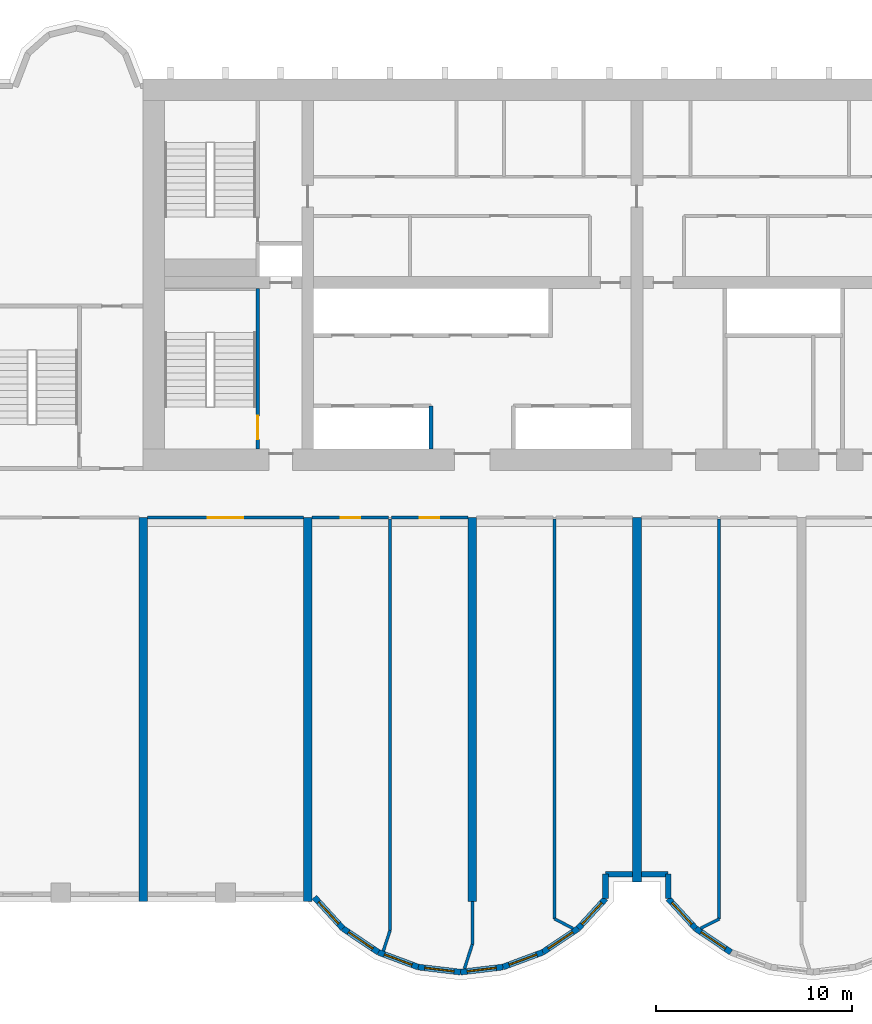
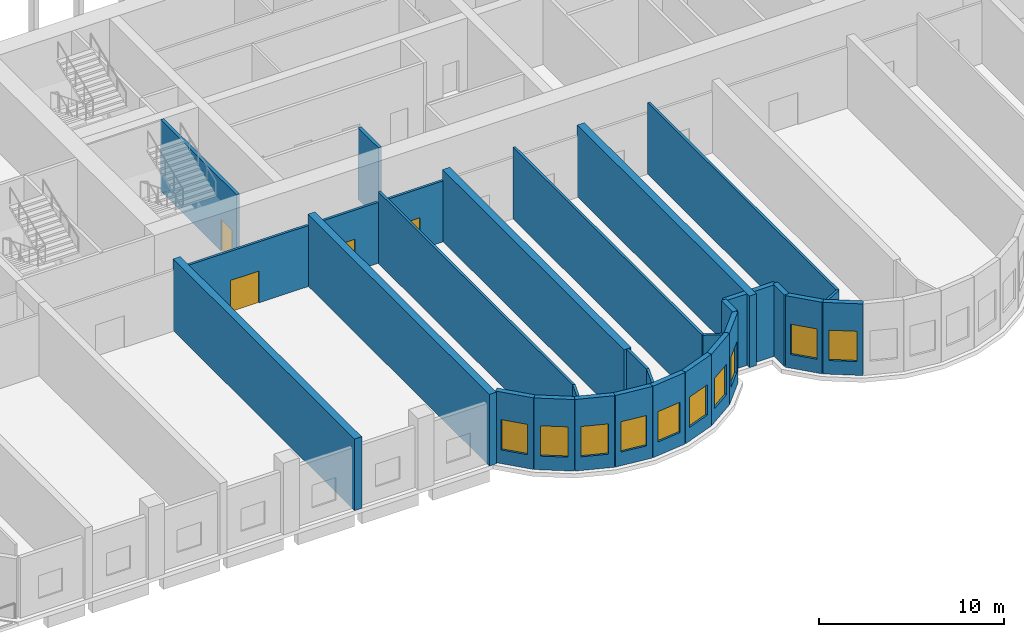
# One storey, part 3 of 11: 31 walls, 10 windows, 4 doors, 14 openings.
"""IFC4 building model written with IfcOpenShell, lengths in metres."""

from ifc_helpers import new_model, si_unit, direction, frame, frame_2d, origin, place, context, subcontext, project, spatial, rectangle, extrude, source, transform, mapped, material, layer, layer_set, type_object, element, fill, save


model = new_model("IFC4")

# Units and contexts
model_context = context("Model", 3, precision=1e-05, world=origin(), true_north=direction((0.0, 1.0)))
body_context = subcontext(model_context, "Body", "Model", "MODEL_VIEW")
ifc_project = project(units=[si_unit("LENGTHUNIT", "METRE"), si_unit("AREAUNIT", "SQUARE_METRE"), si_unit("VOLUMEUNIT", "CUBIC_METRE"), si_unit("PLANEANGLEUNIT", "RADIAN"), si_unit("MASSUNIT", "GRAM", prefix="KILO")], contexts=[model_context])

# Site, building, storey
site_placement = place(None, origin())
site = spatial("IfcSite", under=ifc_project, at=site_placement, CompositionType="ELEMENT")
building_placement = place(site_placement, origin())
building = spatial("IfcBuilding", under=site, at=building_placement, Name="Vanashikhar Sky Hotel", CompositionType="ELEMENT")
storey_placement = place(building_placement, frame((0.0, 0.0, 18.0)))
storey = spatial("IfcBuildingStorey", under=building, at=storey_placement, Name="L03", CompositionType="ELEMENT", Elevation=18.0)

# Walls
ifc_material_1 = material(Name="Concrete M80", Category="concrete")
ifc_layer_1 = layer(ifc_material_1, 0.449951171875)
ifc_layer_set_1 = layer_set([ifc_layer_1], Name="RC shear wall 450 Concrete M80")
wall_type_1 = type_object("IfcWallType", Name="RC shear wall 450 Concrete M80", PredefinedType="SHEAR", material=ifc_layer_set_1)
shared_shape_1 = source(origin(), body_context, "Body", "SweptSolid", [
    extrude(rectangle(XDim=19.60009765625, YDim=0.449951171875, at=frame_2d((9.800048828125, 0.0))), origin(), (0.0, 0.0, 1.0), 4.719970703125),
])
for number, where, z_axis, x_axis, name in (
    (1, (25.199951171875, 0.0, 0.0), (0.0, 0.0, 1.0), (0.0, 1.0, 0.0), "CW-L03-XW04-1"),
    (2, (33.60009765625, 0.0, 0.0), (0.0, 0.0, 1.0), (0.0, 1.0, 0.0), "CW-L03-XW05-1"),
    (3, (42.0, 0.0, 0.0), (0.0, 0.0, 1.0), (0.0, 1.0, 0.0), "CW-L03-XW06-1"),
):
    element("IfcWall", number, at=place(storey_placement, frame(where, z_axis=z_axis, x_axis=x_axis)), inside=storey, type_object=wall_type_1, Name=name, PredefinedType="SHEAR", context=body_context, shape_type="MappedRepresentation", body=[
        mapped(shared_shape_1, transform((0.0, 0.0, 0.0), scale=1.0)),
    ])
shared_shape_2 = source(origin(), body_context, "Body", "SweptSolid", [
    extrude(rectangle(XDim=18.60009765625, YDim=0.449951171875, at=frame_2d((9.300048828125, 0.0))), origin(), (0.0, 0.0, 1.0), 4.719970703125),
])
wall_1_placement = place(storey_placement, frame((50.39990234375, 1.0, 0.0), z_axis=(0.0, 0.0, 1.0), x_axis=(0.0, 1.0, 0.0)))
element("IfcWall", 4, at=wall_1_placement, inside=storey, type_object=wall_type_1, Name="CW-L03-XW07-1", PredefinedType="SHEAR", context=body_context, shape_type="MappedRepresentation", body=[
    mapped(shared_shape_2, transform((0.0, 0.0, 0.0), scale=1.0)),
])
ifc_material_2 = material(Name="Concrete M50", Category="concrete")
ifc_layer_2 = layer(ifc_material_2, 0.300048828125)
ifc_layer_set_2 = layer_set([ifc_layer_2], Name="Lobe wall 300")
wall_type_2 = type_object("IfcWallType", Name="Lobe wall 300", PredefinedType="SOLIDWALL", material=ifc_layer_set_2)
shared_shape_3 = source(origin(), body_context, "Body", "SweptSolid", [
    extrude(rectangle(XDim=1.244384765625, YDim=0.300048828125, at=frame_2d((0.6220703125, 0.0))), origin(), (0.0, 0.0, 1.0), 4.719970703125),
])
for number, where, z_axis, x_axis, name in (
    (5, (48.800048828125, 0.155517578125, 0.0), (0.0, 0.0, 1.0), (0.0, 1.0, 0.0), "Groove wall"),
    (6, (52.0, 1.39990234375, 0.0), (0.0, 0.0, 1.0), (0.0, -1.0, 0.0), "Groove wall"),
):
    element("IfcWall", number, at=place(storey_placement, frame(where, z_axis=z_axis, x_axis=x_axis)), inside=storey, type_object=wall_type_2, Name=name, PredefinedType="SOLIDWALL", context=body_context, shape_type="MappedRepresentation", body=[
        mapped(shared_shape_3, transform((0.0, 0.0, 0.0), scale=1.0)),
    ])
shared_shape_4 = source(origin(), body_context, "Body", "SweptSolid", [
    extrude(rectangle(XDim=1.375, YDim=0.300048828125, at=frame_2d((0.6875, 0.0))), origin(), (0.0, 0.0, 1.0), 4.719970703125),
])
for number, where, z_axis, x_axis, name in (
    (7, (48.800048828125, 1.39990234375, 0.0), (0.0, 0.0, 1.0), (1.0, 0.0, 0.0), "Groove wall"),
    (8, (50.625, 1.39990234375, 0.0), (0.0, 0.0, 1.0), (1.0, 0.0, 0.0), "Groove wall"),
):
    element("IfcWall", number, at=place(storey_placement, frame(where, z_axis=z_axis, x_axis=x_axis)), inside=storey, type_object=wall_type_2, Name=name, PredefinedType="SOLIDWALL", context=body_context, shape_type="MappedRepresentation", body=[
        mapped(shared_shape_4, transform((0.0, 0.0, 0.0), scale=1.0)),
    ])

# Wall, opening, window
shared_shape_5 = source(origin(), body_context, "Body", "SweptSolid", [
    extrude(rectangle(XDim=2.066650390625, YDim=0.300048828125, at=frame_2d((1.033203125, 0.0))), origin(), (0.0, 0.0, 1.0), 4.719970703125),
])
wall_2_placement = place(storey_placement, frame((52.0, 0.155517578125, 0.0), z_axis=(0.0, 0.0, 1.0), x_axis=(0.675355439877, -0.737492393065, 0.0)))
wall_2 = element("IfcWall", 9, at=wall_2_placement, inside=storey, type_object=wall_type_2, Name="Lobe wall", PredefinedType="SOLIDWALL", context=body_context, shape_type="MappedRepresentation", body=[
    mapped(shared_shape_5, transform((0.0, 0.0, 0.0), scale=1.0)),
])
shared_shape_6 = source(origin(), body_context, "Body", "SweptSolid", [
    extrude(rectangle(XDim=1.5, YDim=2.0, at=frame_2d((0.75, 1.0))), frame((0.0, 0.16015625, 0.0), z_axis=(0.0, -1.0, 0.0), x_axis=(1.0, 0.0, 0.0)), (0.0, 0.0, 1.0), 0.320068359375),
])
opening_1_placement = place(wall_2_placement, frame((0.283203125, 0.0, 0.89990234375)))
opening_1 = element("IfcOpeningElement", 10, at=opening_1_placement, cuts=wall_2, Name="Opening WN-2", PredefinedType="OPENING", context=body_context, shape_type="MappedRepresentation", body=[
    mapped(shared_shape_6, transform((0.0, 0.0, 0.0), scale=1.0)),
])
ifc_material_3 = material(Name="Glass", Category="glass")
window_type = type_object("IfcWindowType", Name="Lobe window 1500 x 2000", PartitioningType="SINGLE_PANEL", PredefinedType="WINDOW", material=ifc_material_3)
shared_shape_7 = source(origin(), body_context, "Body", "SweptSolid", [
    extrude(rectangle(XDim=1.5, YDim=2.0, at=frame_2d((0.75, 1.0))), frame((0.0, 0.030029296875, 0.0), z_axis=(0.0, -1.0, 0.0), x_axis=(1.0, 0.0, 0.0)), (0.0, 0.0, 1.0), 0.06005859375),
])
window_1_placement = place(opening_1_placement, origin())
window_1 = element("IfcWindow", 11, at=window_1_placement, inside=storey, type_object=window_type, Name="Window WN-2", OverallHeight=2.0, OverallWidth=1.5, PartitioningType="SINGLE_PANEL", PredefinedType="WINDOW", context=body_context, shape_type="MappedRepresentation", body=[
    mapped(shared_shape_7, transform((0.0, 0.0, 0.0), scale=1.0)),
])
fill(opening_1, window_1)

wall_3_placement = place(storey_placement, frame((47.404296875, -1.36865234375, 0.0), z_axis=(0.0, 0.0, 1.0), x_axis=(0.675355439877, 0.737492393065, 0.0)))
wall_3 = element("IfcWall", 12, at=wall_3_placement, inside=storey, type_object=wall_type_2, Name="Lobe wall", PredefinedType="SOLIDWALL", context=body_context, shape_type="MappedRepresentation", body=[
    mapped(shared_shape_5, transform((0.0, 0.0, 0.0), scale=1.0)),
])
opening_2_placement = place(wall_3_placement, frame((0.283203125, 0.0, 0.89990234375)))
opening_2 = element("IfcOpeningElement", 13, at=opening_2_placement, cuts=wall_3, Name="Opening WN-2", PredefinedType="OPENING", context=body_context, shape_type="MappedRepresentation", body=[
    mapped(shared_shape_6, transform((0.0, 0.0, 0.0), scale=1.0)),
])
window_2_placement = place(opening_2_placement, origin())
window_2 = element("IfcWindow", 14, at=window_2_placement, inside=storey, type_object=window_type, Name="Window WN-2", OverallHeight=2.0, OverallWidth=1.5, PartitioningType="SINGLE_PANEL", PredefinedType="WINDOW", context=body_context, shape_type="MappedRepresentation", body=[
    mapped(shared_shape_7, transform((0.0, 0.0, 0.0), scale=1.0)),
])
fill(opening_2, window_2)

shared_shape_8 = source(origin(), body_context, "Body", "SweptSolid", [
    extrude(rectangle(XDim=2.17578125, YDim=0.300048828125, at=frame_2d((1.087890625, 0.0))), origin(), (0.0, 0.0, 1.0), 4.719970703125),
])
wall_4_placement = place(storey_placement, frame((53.395751953125, -1.36865234375, 0.0), z_axis=(0.0, 0.0, 1.0), x_axis=(0.829590746428, -0.558371913192, 0.0)))
wall_4 = element("IfcWall", 15, at=wall_4_placement, inside=storey, type_object=wall_type_2, Name="Lobe wall", PredefinedType="SOLIDWALL", context=body_context, shape_type="MappedRepresentation", body=[
    mapped(shared_shape_8, transform((0.0, 0.0, 0.0), scale=1.0)),
])
opening_3_placement = place(wall_4_placement, frame((0.337890625, 0.0, 0.89990234375)))
opening_3 = element("IfcOpeningElement", 16, at=opening_3_placement, cuts=wall_4, Name="Opening WN-2", PredefinedType="OPENING", context=body_context, shape_type="MappedRepresentation", body=[
    mapped(shared_shape_6, transform((0.0, 0.0, 0.0), scale=1.0)),
])
window_3_placement = place(opening_3_placement, origin())
window_3 = element("IfcWindow", 17, at=window_3_placement, inside=storey, type_object=window_type, Name="Window WN-2", OverallHeight=2.0, OverallWidth=1.5, PartitioningType="SINGLE_PANEL", PredefinedType="WINDOW", context=body_context, shape_type="MappedRepresentation", body=[
    mapped(shared_shape_7, transform((0.0, 0.0, 0.0), scale=1.0)),
])
fill(opening_3, window_3)

wall_5_placement = place(storey_placement, frame((35.395751953125, -1.36865234375, 0.0), z_axis=(0.0, 0.0, 1.0), x_axis=(0.829590746428, -0.558371913192, 0.0)))
wall_5 = element("IfcWall", 18, at=wall_5_placement, inside=storey, type_object=wall_type_2, Name="Lobe wall", PredefinedType="SOLIDWALL", context=body_context, shape_type="MappedRepresentation", body=[
    mapped(shared_shape_8, transform((0.0, 0.0, 0.0), scale=1.0)),
])
opening_4_placement = place(wall_5_placement, frame((0.337890625, 0.0, 0.89990234375)))
opening_4 = element("IfcOpeningElement", 19, at=opening_4_placement, cuts=wall_5, Name="Opening WN-2", PredefinedType="OPENING", context=body_context, shape_type="MappedRepresentation", body=[
    mapped(shared_shape_6, transform((0.0, 0.0, 0.0), scale=1.0)),
])
window_4_placement = place(opening_4_placement, origin())
window_4 = element("IfcWindow", 20, at=window_4_placement, inside=storey, type_object=window_type, Name="Window WN-2", OverallHeight=2.0, OverallWidth=1.5, PartitioningType="SINGLE_PANEL", PredefinedType="WINDOW", context=body_context, shape_type="MappedRepresentation", body=[
    mapped(shared_shape_7, transform((0.0, 0.0, 0.0), scale=1.0)),
])
fill(opening_4, window_4)

wall_6_placement = place(storey_placement, frame((37.20068359375, -2.58349609375, 0.0), z_axis=(0.0, 0.0, 1.0), x_axis=(0.93754555999, -0.347862505801, 0.0)))
wall_6 = element("IfcWall", 21, at=wall_6_placement, inside=storey, type_object=wall_type_2, Name="Lobe wall", PredefinedType="SOLIDWALL", context=body_context, shape_type="MappedRepresentation", body=[
    mapped(shared_shape_8, transform((0.0, 0.0, 0.0), scale=1.0)),
])
opening_5_placement = place(wall_6_placement, frame((0.337890625, 0.0, 0.89990234375)))
opening_5 = element("IfcOpeningElement", 22, at=opening_5_placement, cuts=wall_6, Name="Opening WN-2", PredefinedType="OPENING", context=body_context, shape_type="MappedRepresentation", body=[
    mapped(shared_shape_6, transform((0.0, 0.0, 0.0), scale=1.0)),
])
window_5_placement = place(opening_5_placement, origin())
window_5 = element("IfcWindow", 23, at=window_5_placement, inside=storey, type_object=window_type, Name="Window WN-2", OverallHeight=2.0, OverallWidth=1.5, PartitioningType="SINGLE_PANEL", PredefinedType="WINDOW", context=body_context, shape_type="MappedRepresentation", body=[
    mapped(shared_shape_7, transform((0.0, 0.0, 0.0), scale=1.0)),
])
fill(opening_5, window_5)

wall_7_placement = place(storey_placement, frame((45.59912109375, -2.58349609375, 0.0), z_axis=(0.0, 0.0, 1.0), x_axis=(0.829625727223, 0.558319937607, 0.0)))
wall_7 = element("IfcWall", 24, at=wall_7_placement, inside=storey, type_object=wall_type_2, Name="Lobe wall", PredefinedType="SOLIDWALL", context=body_context, shape_type="MappedRepresentation", body=[
    mapped(shared_shape_8, transform((0.0, 0.0, 0.0), scale=1.0)),
])
opening_6_placement = place(wall_7_placement, frame((0.337890625, 0.0, 0.89990234375)))
opening_6 = element("IfcOpeningElement", 25, at=opening_6_placement, cuts=wall_7, Name="Opening WN-2", PredefinedType="OPENING", context=body_context, shape_type="MappedRepresentation", body=[
    mapped(shared_shape_6, transform((0.0, 0.0, 0.0), scale=1.0)),
])
window_6_placement = place(opening_6_placement, origin())
window_6 = element("IfcWindow", 26, at=window_6_placement, inside=storey, type_object=window_type, Name="Window WN-2", OverallHeight=2.0, OverallWidth=1.5, PartitioningType="SINGLE_PANEL", PredefinedType="WINDOW", context=body_context, shape_type="MappedRepresentation", body=[
    mapped(shared_shape_7, transform((0.0, 0.0, 0.0), scale=1.0)),
])
fill(opening_6, window_6)

shared_shape_9 = source(origin(), body_context, "Body", "SweptSolid", [
    extrude(rectangle(XDim=2.174560546875, YDim=0.300048828125, at=frame_2d((1.08740234375, 0.0))), origin(), (0.0, 0.0, 1.0), 4.719970703125),
])
wall_8_placement = place(storey_placement, frame((39.240478515625, -3.34033203125, 0.0), z_axis=(0.0, 0.0, 1.0), x_axis=(0.993001132889, -0.118104826659, 0.0)))
wall_8 = element("IfcWall", 27, at=wall_8_placement, inside=storey, type_object=wall_type_2, Name="Lobe wall", PredefinedType="SOLIDWALL", context=body_context, shape_type="MappedRepresentation", body=[
    mapped(shared_shape_9, transform((0.0, 0.0, 0.0), scale=1.0)),
])
opening_7_placement = place(wall_8_placement, frame((0.33740234375, 0.0, 0.89990234375)))
opening_7 = element("IfcOpeningElement", 28, at=opening_7_placement, cuts=wall_8, Name="Opening WN-2", PredefinedType="OPENING", context=body_context, shape_type="MappedRepresentation", body=[
    mapped(shared_shape_6, transform((0.0, 0.0, 0.0), scale=1.0)),
])
window_7_placement = place(opening_7_placement, origin())
window_7 = element("IfcWindow", 29, at=window_7_placement, inside=storey, type_object=window_type, Name="Window WN-2", OverallHeight=2.0, OverallWidth=1.5, PartitioningType="SINGLE_PANEL", PredefinedType="WINDOW", context=body_context, shape_type="MappedRepresentation", body=[
    mapped(shared_shape_7, transform((0.0, 0.0, 0.0), scale=1.0)),
])
fill(opening_7, window_7)

shared_shape_10 = source(origin(), body_context, "Body", "SweptSolid", [
    extrude(rectangle(XDim=2.1748046875, YDim=0.300048828125, at=frame_2d((1.08740234375, 0.0))), origin(), (0.0, 0.0, 1.0), 4.719970703125),
])
wall_9_placement = place(storey_placement, frame((41.39990234375, -3.59716796875, 0.0), z_axis=(0.0, 0.0, 1.0), x_axis=(0.993002698611, 0.118091661648, 0.0)))
wall_9 = element("IfcWall", 30, at=wall_9_placement, inside=storey, type_object=wall_type_2, Name="Lobe wall", PredefinedType="SOLIDWALL", context=body_context, shape_type="MappedRepresentation", body=[
    mapped(shared_shape_10, transform((0.0, 0.0, 0.0), scale=1.0)),
])
opening_8_placement = place(wall_9_placement, frame((0.33740234375, 0.0, 0.89990234375)))
opening_8 = element("IfcOpeningElement", 31, at=opening_8_placement, cuts=wall_9, Name="Opening WN-2", PredefinedType="OPENING", context=body_context, shape_type="MappedRepresentation", body=[
    mapped(shared_shape_6, transform((0.0, 0.0, 0.0), scale=1.0)),
])
window_8_placement = place(opening_8_placement, origin())
window_8 = element("IfcWindow", 32, at=window_8_placement, inside=storey, type_object=window_type, Name="Window WN-2", OverallHeight=2.0, OverallWidth=1.5, PartitioningType="SINGLE_PANEL", PredefinedType="WINDOW", context=body_context, shape_type="MappedRepresentation", body=[
    mapped(shared_shape_7, transform((0.0, 0.0, 0.0), scale=1.0)),
])
fill(opening_8, window_8)

shared_shape_11 = source(origin(), body_context, "Body", "SweptSolid", [
    extrude(rectangle(XDim=2.175537109375, YDim=0.300048828125, at=frame_2d((1.087890625, 0.0))), origin(), (0.0, 0.0, 1.0), 4.719970703125),
])
wall_10_placement = place(storey_placement, frame((43.5595703125, -3.34033203125, 0.0), z_axis=(0.0, 0.0, 1.0), x_axis=(0.937531979054, 0.347899106424, 0.0)))
wall_10 = element("IfcWall", 33, at=wall_10_placement, inside=storey, type_object=wall_type_2, Name="Lobe wall", PredefinedType="SOLIDWALL", context=body_context, shape_type="MappedRepresentation", body=[
    mapped(shared_shape_11, transform((0.0, 0.0, 0.0), scale=1.0)),
])
opening_9_placement = place(wall_10_placement, frame((0.337890625, 0.0, 0.89990234375)))
opening_9 = element("IfcOpeningElement", 34, at=opening_9_placement, cuts=wall_10, Name="Opening WN-2", PredefinedType="OPENING", context=body_context, shape_type="MappedRepresentation", body=[
    mapped(shared_shape_6, transform((0.0, 0.0, 0.0), scale=1.0)),
])
window_9_placement = place(opening_9_placement, origin())
window_9 = element("IfcWindow", 35, at=window_9_placement, inside=storey, type_object=window_type, Name="Window WN-2", OverallHeight=2.0, OverallWidth=1.5, PartitioningType="SINGLE_PANEL", PredefinedType="WINDOW", context=body_context, shape_type="MappedRepresentation", body=[
    mapped(shared_shape_7, transform((0.0, 0.0, 0.0), scale=1.0)),
])
fill(opening_9, window_9)

shared_shape_12 = source(origin(), body_context, "Body", "SweptSolid", [
    extrude(rectangle(XDim=2.162109375, YDim=0.300048828125, at=frame_2d((1.0810546875, 0.0))), origin(), (0.0, 0.0, 1.0), 4.719970703125),
])
wall_11_placement = place(storey_placement, frame((33.935546875, 0.225830078125, 0.0), z_axis=(0.0, 0.0, 1.0), x_axis=(0.67537173084, -0.737477474355, 0.0)))
wall_11 = element("IfcWall", 36, at=wall_11_placement, inside=storey, type_object=wall_type_2, Name="Lobe wall", PredefinedType="SOLIDWALL", context=body_context, shape_type="MappedRepresentation", body=[
    mapped(shared_shape_12, transform((0.0, 0.0, 0.0), scale=1.0)),
])
opening_10_placement = place(wall_11_placement, frame((0.3310546875, 0.0, 0.89990234375)))
opening_10 = element("IfcOpeningElement", 37, at=opening_10_placement, cuts=wall_11, Name="Opening WN-2", PredefinedType="OPENING", context=body_context, shape_type="MappedRepresentation", body=[
    mapped(shared_shape_6, transform((0.0, 0.0, 0.0), scale=1.0)),
])
window_10_placement = place(opening_10_placement, origin())
window_10 = element("IfcWindow", 38, at=window_10_placement, inside=storey, type_object=window_type, Name="Window WN-2", OverallHeight=2.0, OverallWidth=1.5, PartitioningType="SINGLE_PANEL", PredefinedType="WINDOW", context=body_context, shape_type="MappedRepresentation", body=[
    mapped(shared_shape_7, transform((0.0, 0.0, 0.0), scale=1.0)),
])
fill(opening_10, window_10)

# Wall
ifc_material_4 = material(Name="Concrete M40", Category="concrete")
ifc_layer_3 = layer(ifc_material_4, 0.199951171875)
ifc_layer_set_3 = layer_set([ifc_layer_3], Name="Shaft wall 200")
wall_type_3 = type_object("IfcWallType", Name="Shaft wall 200", PredefinedType="SOLIDWALL", material=ifc_layer_set_3)
shared_shape_13 = source(origin(), body_context, "Body", "SweptSolid", [
    extrude(rectangle(XDim=2.199951171875, YDim=0.199951171875, at=frame_2d((1.10009765625, 0.0))), origin(), (0.0, 0.0, 1.0), 4.719970703125),
])
wall_12_placement = place(storey_placement, frame((39.89990234375, 23.10009765625, 0.0), z_axis=(0.0, 0.0, 1.0), x_axis=(0.0, 1.0, 0.0)))
element("IfcWall", 39, at=wall_12_placement, inside=storey, type_object=wall_type_3, Name="Shaft wall 200", PredefinedType="SOLIDWALL", context=body_context, shape_type="MappedRepresentation", body=[
    mapped(shared_shape_13, transform((0.0, 0.0, 0.0), scale=1.0)),
])

# Wall, opening, door
ifc_layer_4 = layer(ifc_material_2, 0.199951171875)
ifc_layer_set_4 = layer_set([ifc_layer_4], Name="Stair wall 200")
wall_type_4 = type_object("IfcWallType", Name="Stair wall 200", PredefinedType="SOLIDWALL", material=ifc_layer_set_4)
shared_shape_14 = source(origin(), body_context, "Body", "SweptSolid", [
    extrude(rectangle(XDim=8.199951171875, YDim=0.199951171875, at=frame_2d((4.10009765625, 0.0))), origin(), (0.0, 0.0, 1.0), 4.719970703125),
])
wall_13_placement = place(storey_placement, frame((31.050048828125, 23.10009765625, 0.0), z_axis=(0.0, 0.0, 1.0), x_axis=(0.0, 1.0, 0.0)))
wall_13 = element("IfcWall", 40, at=wall_13_placement, inside=storey, type_object=wall_type_4, Name="Stair wall 200", PredefinedType="SOLIDWALL", context=body_context, shape_type="MappedRepresentation", body=[
    mapped(shared_shape_14, transform((0.0, 0.0, 0.0), scale=1.0)),
])
shared_shape_15 = source(origin(), body_context, "Body", "SweptSolid", [
    extrude(rectangle(XDim=1.199951171875, YDim=2.10009765625, at=frame_2d((0.60009765625, 1.050048828125))), frame((0.0, 0.10986328125, 0.0), z_axis=(0.0, -1.0, 0.0), x_axis=(1.0, 0.0, 0.0)), (0.0, 0.0, 1.0), 0.219970703125),
])
opening_11_placement = place(wall_13_placement, frame((0.5, 0.0, 0.0)))
opening_11 = element("IfcOpeningElement", 41, at=opening_11_placement, cuts=wall_13, Name="Opening DC-1", PredefinedType="OPENING", context=body_context, shape_type="MappedRepresentation", body=[
    mapped(shared_shape_15, transform((0.0, 0.0, 0.0), scale=1.0)),
])
ifc_material_5 = material(Name="Steel", Category="steel")
door_type_1 = type_object("IfcDoorType", Name="Stair door 1200 FD120", OperationType="NOTDEFINED", PredefinedType="DOOR", material=ifc_material_5)
shared_shape_16 = source(origin(), body_context, "Body", "SweptSolid", [
    extrude(rectangle(XDim=1.199951171875, YDim=2.10009765625, at=frame_2d((0.60009765625, 1.050048828125))), frame((0.0, 0.02490234375, 0.0), z_axis=(0.0, -1.0, 0.0), x_axis=(1.0, 0.0, 0.0)), (0.0, 0.0, 1.0), 0.050048828125),
])
door_1_placement = place(opening_11_placement, origin())
door_1 = element("IfcDoor", 42, at=door_1_placement, inside=storey, type_object=door_type_1, Name="Stair door 1200 FD120", OperationType="SINGLE_SWING_RIGHT", OverallHeight=2.10009765625, OverallWidth=1.199951171875, PredefinedType="DOOR", context=body_context, shape_type="MappedRepresentation", body=[
    mapped(shared_shape_16, transform((0.0, 0.0, 0.0), scale=1.0)),
])
fill(opening_11, door_1)

ifc_material_6 = material(Name="Gypsum plasterboard partition")
ifc_layer_5 = layer(ifc_material_6, 0.14990234375)
ifc_layer_set_5 = layer_set([ifc_layer_5], Name="Corridor and demising partition 150")
wall_type_5 = type_object("IfcWallType", Name="Corridor and demising partition 150", PredefinedType="PARTITIONING", material=ifc_layer_set_5)
shared_shape_17 = source(origin(), body_context, "Body", "SweptSolid", [
    extrude(rectangle(XDim=3.900146484375, YDim=0.14990234375, at=frame_2d((1.9501953125, 0.0))), origin(), (0.0, 0.0, 1.0), 4.02001953125),
])
wall_14_placement = place(storey_placement, frame((33.824951171875, 19.60009765625, 0.0), z_axis=(0.0, 0.0, 1.0), x_axis=(1.0, 0.0, 0.0)))
wall_14 = element("IfcWall", 43, at=wall_14_placement, inside=storey, type_object=wall_type_5, Name="W-L03-PW007", PredefinedType="PARTITIONING", context=body_context, shape_type="MappedRepresentation", body=[
    mapped(shared_shape_17, transform((0.0, 0.0, 0.0), scale=1.0)),
])
shared_shape_18 = source(origin(), body_context, "Body", "SweptSolid", [
    extrude(rectangle(XDim=1.0, YDim=2.10009765625, at=frame_2d((0.5, 1.050048828125))), frame((0.0, 0.0849609375, 0.0), z_axis=(0.0, -1.0, 0.0), x_axis=(1.0, 0.0, 0.0)), (0.0, 0.0, 1.0), 0.169921875),
])
opening_12_placement = place(wall_14_placement, frame((1.449951171875, 0.0, 0.0)))
opening_12 = element("IfcOpeningElement", 44, at=opening_12_placement, cuts=wall_14, Name="Opening D-01", PredefinedType="OPENING", context=body_context, shape_type="MappedRepresentation", body=[
    mapped(shared_shape_18, transform((0.0, 0.0, 0.0), scale=1.0)),
])
ifc_material_7 = material(Name="Timber fire door", Category="wood")
door_type_2 = type_object("IfcDoorType", Name="Guest entry door 1000 FD30S", OperationType="NOTDEFINED", PredefinedType="DOOR", material=ifc_material_7)
shared_shape_19 = source(origin(), body_context, "Body", "SweptSolid", [
    extrude(rectangle(XDim=1.0, YDim=2.10009765625, at=frame_2d((0.5, 1.050048828125))), frame((0.0, 0.02490234375, 0.0), z_axis=(0.0, -1.0, 0.0), x_axis=(1.0, 0.0, 0.0)), (0.0, 0.0, 1.0), 0.050048828125),
])
door_2_placement = place(opening_12_placement, origin())
door_2 = element("IfcDoor", 45, at=door_2_placement, inside=storey, type_object=door_type_2, Name="D-L03-006", OperationType="SINGLE_SWING_LEFT", OverallHeight=2.10009765625, OverallWidth=1.0, PredefinedType="DOOR", context=body_context, shape_type="MappedRepresentation", body=[
    mapped(shared_shape_19, transform((0.0, 0.0, 0.0), scale=1.0)),
])
fill(opening_12, door_2)

shared_shape_20 = source(origin(), body_context, "Body", "SweptSolid", [
    extrude(rectangle(XDim=7.949951171875, YDim=0.14990234375, at=frame_2d((3.97509765625, 0.0))), origin(), (0.0, 0.0, 1.0), 4.02001953125),
])
wall_15_placement = place(storey_placement, frame((25.425048828125, 19.60009765625, 0.0), z_axis=(0.0, 0.0, 1.0), x_axis=(1.0, 0.0, 0.0)))
wall_15 = element("IfcWall", 46, at=wall_15_placement, inside=storey, type_object=wall_type_5, Name="W-L03-PW006", PredefinedType="PARTITIONING", context=body_context, shape_type="MappedRepresentation", body=[
    mapped(shared_shape_20, transform((0.0, 0.0, 0.0), scale=1.0)),
])
shared_shape_21 = source(origin(), body_context, "Body", "SweptSolid", [
    extrude(rectangle(XDim=1.800048828125, YDim=2.10009765625, at=frame_2d((0.89990234375, 1.050048828125))), frame((0.0, 0.0849609375, 0.0), z_axis=(0.0, -1.0, 0.0), x_axis=(1.0, 0.0, 0.0)), (0.0, 0.0, 1.0), 0.169921875),
])
opening_13_placement = place(wall_15_placement, frame((3.074951171875, 0.0, 0.0)))
opening_13 = element("IfcOpeningElement", 47, at=opening_13_placement, cuts=wall_15, Name="Opening D-03", PredefinedType="OPENING", context=body_context, shape_type="MappedRepresentation", body=[
    mapped(shared_shape_21, transform((0.0, 0.0, 0.0), scale=1.0)),
])
door_type_3 = type_object("IfcDoorType", Name="Double leaf door 1800 FD30S", OperationType="NOTDEFINED", PredefinedType="DOOR", material=ifc_material_7)
shared_shape_22 = source(origin(), body_context, "Body", "SweptSolid", [
    extrude(rectangle(XDim=1.800048828125, YDim=2.10009765625, at=frame_2d((0.89990234375, 1.050048828125))), frame((0.0, 0.02490234375, 0.0), z_axis=(0.0, -1.0, 0.0), x_axis=(1.0, 0.0, 0.0)), (0.0, 0.0, 1.0), 0.050048828125),
])
door_3_placement = place(opening_13_placement, origin())
door_3 = element("IfcDoor", 48, at=door_3_placement, inside=storey, type_object=door_type_3, Name="D-L03-005", OperationType="DOUBLE_DOOR_SINGLE_SWING", OverallHeight=2.10009765625, OverallWidth=1.800048828125, PredefinedType="DOOR", context=body_context, shape_type="MappedRepresentation", body=[
    mapped(shared_shape_22, transform((0.0, 0.0, 0.0), scale=1.0)),
])
fill(opening_13, door_3)

shared_shape_23 = source(origin(), body_context, "Body", "SweptSolid", [
    extrude(rectangle(XDim=3.89990234375, YDim=0.14990234375, at=frame_2d((1.949951171875, 0.0))), origin(), (0.0, 0.0, 1.0), 4.02001953125),
])
wall_16_placement = place(storey_placement, frame((37.875, 19.60009765625, 0.0), z_axis=(0.0, 0.0, 1.0), x_axis=(1.0, 0.0, 0.0)))
wall_16 = element("IfcWall", 49, at=wall_16_placement, inside=storey, type_object=wall_type_5, Name="W-L03-PW008", PredefinedType="PARTITIONING", context=body_context, shape_type="MappedRepresentation", body=[
    mapped(shared_shape_23, transform((0.0, 0.0, 0.0), scale=1.0)),
])
opening_14_placement = place(wall_16_placement, frame((1.449951171875, 0.0, 0.0)))
opening_14 = element("IfcOpeningElement", 50, at=opening_14_placement, cuts=wall_16, Name="Opening D-01", PredefinedType="OPENING", context=body_context, shape_type="MappedRepresentation", body=[
    mapped(shared_shape_18, transform((0.0, 0.0, 0.0), scale=1.0)),
])
door_4_placement = place(opening_14_placement, origin())
door_4 = element("IfcDoor", 51, at=door_4_placement, inside=storey, type_object=door_type_2, Name="D-L03-007", OperationType="SINGLE_SWING_RIGHT", OverallHeight=2.10009765625, OverallWidth=1.0, PredefinedType="DOOR", context=body_context, shape_type="MappedRepresentation", body=[
    mapped(shared_shape_19, transform((0.0, 0.0, 0.0), scale=1.0)),
])
fill(opening_14, door_4)

# Walls
shared_shape_24 = source(origin(), body_context, "Body", "SweptSolid", [
    extrude(rectangle(XDim=20.997802734375, YDim=0.14990234375, at=frame_2d((10.4990234375, 0.0))), origin(), (0.0, 0.0, 1.0), 4.719970703125),
])
wall_17_placement = place(storey_placement, frame((37.800048828125, -1.472900390625, 0.0), z_axis=(0.0, 0.0, 1.0), x_axis=(0.0, 1.0, 0.0)))
element("IfcWall", 52, at=wall_17_placement, inside=storey, type_object=wall_type_5, Name="W-L03-PW009", PredefinedType="PARTITIONING", context=body_context, shape_type="MappedRepresentation", body=[
    mapped(shared_shape_24, transform((0.0, 0.0, 0.0), scale=1.0)),
])
shared_shape_25 = source(origin(), body_context, "Body", "SweptSolid", [
    extrude(rectangle(XDim=20.406005859375, YDim=0.14990234375, at=frame_2d((10.203125, 0.0))), origin(), (0.0, 0.0, 1.0), 4.719970703125),
])
for number, where, z_axis, x_axis, name in (
    (53, (46.199951171875, -0.881103515625, 0.0), (0.0, 0.0, 1.0), (0.0, 1.0, 0.0), "W-L03-PW012"),
    (54, (54.60009765625, -0.881103515625, 0.0), (0.0, 0.0, 1.0), (0.0, 1.0, 0.0), "W-L03-PW015"),
):
    element("IfcWall", number, at=place(storey_placement, frame(where, z_axis=z_axis, x_axis=x_axis)), inside=storey, type_object=wall_type_5, Name=name, PredefinedType="PARTITIONING", context=body_context, shape_type="MappedRepresentation", body=[
        mapped(shared_shape_25, transform((0.0, 0.0, 0.0), scale=1.0)),
    ])
shared_shape_26 = source(origin(), body_context, "Body", "SweptSolid", [
    extrude(rectangle(XDim=2.177978515625, YDim=0.14990234375, at=frame_2d((1.0888671875, 0.0))), origin(), (0.0, 0.0, 1.0), 4.719970703125),
])
wall_18_placement = place(storey_placement, frame((42.0, -2.177978515625, 0.0), z_axis=(0.0, 0.0, 1.0), x_axis=(0.0, 1.0, 0.0)))
element("IfcWall", 55, at=wall_18_placement, inside=storey, type_object=wall_type_5, Name="W-L03-PW025", PredefinedType="PARTITIONING", context=body_context, shape_type="MappedRepresentation", body=[
    mapped(shared_shape_26, transform((0.0, 0.0, 0.0), scale=1.0)),
])
shared_shape_27 = source(origin(), body_context, "Body", "SweptSolid", [
    extrude(rectangle(XDim=1.100830078125, YDim=0.14990234375, at=frame_2d((0.55029296875, 0.0))), origin(), (0.0, 0.0, 1.0), 4.719970703125),
])
wall_19_placement = place(storey_placement, frame((37.45703125, -2.51904296875, 0.0), z_axis=(0.0, 0.0, 1.0), x_axis=(0.311567081539, 0.950224159712, 0.0)))
element("IfcWall", 56, at=wall_19_placement, inside=storey, type_object=wall_type_5, Name="W-L03-PW009B0", PredefinedType="PARTITIONING", context=body_context, shape_type="MappedRepresentation", body=[
    mapped(shared_shape_27, transform((0.0, 0.0, 0.0), scale=1.0)),
])
shared_shape_28 = source(origin(), body_context, "Body", "SweptSolid", [
    extrude(rectangle(XDim=1.0576171875, YDim=0.14990234375, at=frame_2d((0.52880859375, 0.0))), origin(), (0.0, 0.0, 1.0), 4.719970703125),
])
wall_20_placement = place(storey_placement, frame((47.139892578125, -1.365966796875, 0.0), z_axis=(0.0, 0.0, 1.0), x_axis=(-0.888723819054, 0.458442988218, 0.0)))
element("IfcWall", 57, at=wall_20_placement, inside=storey, type_object=wall_type_5, Name="W-L03-PW012B0", PredefinedType="PARTITIONING", context=body_context, shape_type="MappedRepresentation", body=[
    mapped(shared_shape_28, transform((0.0, 0.0, 0.0), scale=1.0)),
])
shared_shape_29 = source(origin(), body_context, "Body", "SweptSolid", [
    extrude(rectangle(XDim=1.057861328125, YDim=0.14990234375, at=frame_2d((0.52880859375, 0.0))), origin(), (0.0, 0.0, 1.0), 4.719970703125),
])
wall_21_placement = place(storey_placement, frame((53.659912109375, -1.365966796875, 0.0), z_axis=(0.0, 0.0, 1.0), x_axis=(0.888772319209, 0.458348955063, 0.0)))
element("IfcWall", 58, at=wall_21_placement, inside=storey, type_object=wall_type_5, Name="W-L03-PW015B0", PredefinedType="PARTITIONING", context=body_context, shape_type="MappedRepresentation", body=[
    mapped(shared_shape_29, transform((0.0, 0.0, 0.0), scale=1.0)),
])
shared_shape_30 = source(origin(), body_context, "Body", "SweptSolid", [
    extrude(rectangle(XDim=1.308349609375, YDim=0.14990234375, at=frame_2d((0.654296875, 0.0))), origin(), (0.0, 0.0, 1.0), 4.719970703125),
])
wall_22_placement = place(storey_placement, frame((41.597900390625, -3.423095703125, 0.0), z_axis=(0.0, 0.0, 1.0), x_axis=(0.307313512187, 0.951608325535, 0.0)))
element("IfcWall", 59, at=wall_22_placement, inside=storey, type_object=wall_type_5, Name="W-L03-PW025B0", PredefinedType="PARTITIONING", context=body_context, shape_type="MappedRepresentation", body=[
    mapped(shared_shape_30, transform((0.0, 0.0, 0.0), scale=1.0)),
])

save(model, "model.ifc")
